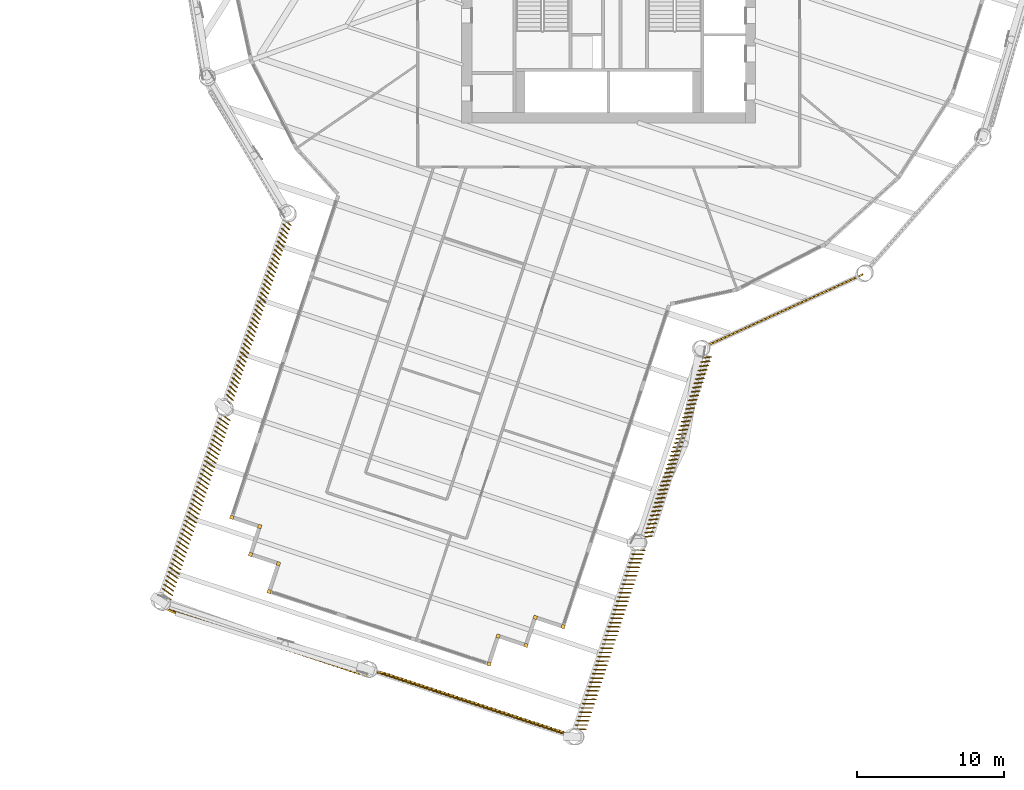
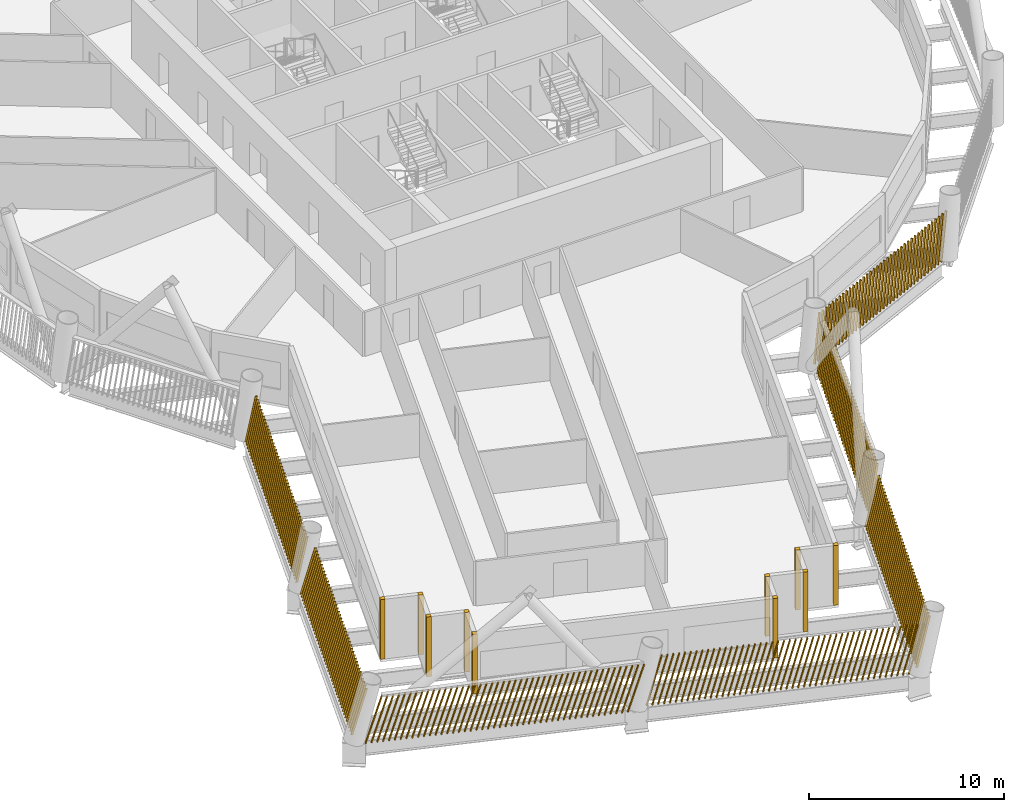
# One storey, part 18 of 22: 17 shading devices.
"""IFC4 building model written with IfcOpenShell, lengths in metres."""

from ifc_helpers import new_model, si_unit, direction, frame, frame_2d, origin, origin_2d, place, context, subcontext, project, spatial, rectangle, composite_profile, extrude, material, type_object, element, save


model = new_model("IFC4")

# Units and contexts
model_context = context("Model", 3, precision=1e-05, world=origin(), true_north=direction((0.0, 1.0)))
body_context = subcontext(model_context, "Body", "Model", "MODEL_VIEW")
ifc_project = project(units=[si_unit("LENGTHUNIT", "METRE"), si_unit("AREAUNIT", "SQUARE_METRE"), si_unit("VOLUMEUNIT", "CUBIC_METRE"), si_unit("PLANEANGLEUNIT", "RADIAN"), si_unit("MASSUNIT", "GRAM", prefix="KILO")], contexts=[model_context])

# Site, building, storey
site_placement = place(None, origin())
site = spatial("IfcSite", under=ifc_project, at=site_placement, CompositionType="ELEMENT")
building_placement = place(site_placement, origin())
building = spatial("IfcBuilding", under=site, at=building_placement, Name="Tarsis Ring Headquarters", CompositionType="ELEMENT")
storey_placement = place(building_placement, frame((0.0, 0.0, 147.60009765625)))
storey = spatial("IfcBuildingStorey", under=building, at=storey_placement, Name="L33", CompositionType="ELEMENT", Elevation=147.60009765625)

# Shading devices
ifc_material = material(Name="Terracotta baguette", Category="masonry")
shading_device_type_1 = type_object("IfcShadingDeviceType", Name="Terracotta baguette screen", PredefinedType="USERDEFINED", material=ifc_material)
shading_device_1_placement = place(storey_placement, frame((-22.043212890625, -19.574462890625, 0.0), z_axis=(0.0, 0.0, 1.0), x_axis=(-0.313338505497, -0.949647094442, 0.0)))
element("IfcShadingDevice", 1, at=shading_device_1_placement, inside=storey, type_object=shading_device_type_1, Name="Baguette screen L33-01", ObjectType="Terracotta baguette screen", PredefinedType="USERDEFINED", context=body_context, shape_type="SweptSolid", body=[
    extrude(composite_profile([rectangle(XDim=0.06005859375, YDim=0.1201171875, at=frame_2d((0.030029296875, 0.0))), rectangle(XDim=0.06005859375, YDim=0.1201171875, at=frame_2d((0.335693359375, 0.0))), rectangle(XDim=0.06005859375, YDim=0.1201171875, at=frame_2d((0.6416015625, 0.0))), rectangle(XDim=0.06005859375, YDim=0.1201171875, at=frame_2d((0.947265625, 0.0))), rectangle(XDim=0.06005859375, YDim=0.1201171875, at=frame_2d((1.253173828125, 0.0))), rectangle(XDim=0.06005859375, YDim=0.1201171875, at=frame_2d((1.558837890625, 0.0))), rectangle(XDim=0.06005859375, YDim=0.1201171875, at=frame_2d((1.864501953125, 0.0))), rectangle(XDim=0.06005859375, YDim=0.1201171875, at=frame_2d((2.17041015625, 0.0))), rectangle(XDim=0.06005859375, YDim=0.1201171875, at=frame_2d((2.47607421875, 0.0))), rectangle(XDim=0.06005859375, YDim=0.1201171875, at=frame_2d((2.781982421875, 0.0))), rectangle(XDim=0.06005859375, YDim=0.1201171875, at=frame_2d((3.087646484375, 0.0))), rectangle(XDim=0.06005859375, YDim=0.1201171875, at=frame_2d((3.393310546875, 0.0))), rectangle(XDim=0.06005859375, YDim=0.1201171875, at=frame_2d((3.69921875, 0.0))), rectangle(XDim=0.06005859375, YDim=0.1201171875, at=frame_2d((4.0048828125, 0.0))), rectangle(XDim=0.06005859375, YDim=0.1201171875, at=frame_2d((4.310791015625, 0.0))), rectangle(XDim=0.06005859375, YDim=0.1201171875, at=frame_2d((4.616455078125, 0.0))), rectangle(XDim=0.06005859375, YDim=0.1201171875, at=frame_2d((4.922119140625, 0.0))), rectangle(XDim=0.06005859375, YDim=0.1201171875, at=frame_2d((5.22802734375, 0.0))), rectangle(XDim=0.06005859375, YDim=0.1201171875, at=frame_2d((5.53369140625, 0.0))), rectangle(XDim=0.06005859375, YDim=0.1201171875, at=frame_2d((5.839599609375, 0.0))), rectangle(XDim=0.06005859375, YDim=0.1201171875, at=frame_2d((6.145263671875, 0.0))), rectangle(XDim=0.06005859375, YDim=0.1201171875, at=frame_2d((6.451171875, 0.0))), rectangle(XDim=0.06005859375, YDim=0.1201171875, at=frame_2d((6.7568359375, 0.0))), rectangle(XDim=0.06005859375, YDim=0.1201171875, at=frame_2d((7.0625, 0.0))), rectangle(XDim=0.06005859375, YDim=0.1201171875, at=frame_2d((7.368408203125, 0.0))), rectangle(XDim=0.06005859375, YDim=0.1201171875, at=frame_2d((7.674072265625, 0.0))), rectangle(XDim=0.06005859375, YDim=0.1201171875, at=frame_2d((7.97998046875, 0.0))), rectangle(XDim=0.06005859375, YDim=0.1201171875, at=frame_2d((8.28564453125, 0.0))), rectangle(XDim=0.06005859375, YDim=0.1201171875, at=frame_2d((8.59130859375, 0.0))), rectangle(XDim=0.06005859375, YDim=0.1201171875, at=frame_2d((8.897216796875, 0.0))), rectangle(XDim=0.06005859375, YDim=0.1201171875, at=frame_2d((9.202880859375, 0.0))), rectangle(XDim=0.06005859375, YDim=0.1201171875, at=frame_2d((9.5087890625, 0.0))), rectangle(XDim=0.06005859375, YDim=0.1201171875, at=frame_2d((9.814453125, 0.0))), rectangle(XDim=0.06005859375, YDim=0.1201171875, at=frame_2d((10.1201171875, 0.0))), rectangle(XDim=0.06005859375, YDim=0.1201171875, at=frame_2d((10.426025390625, 0.0))), rectangle(XDim=0.06005859375, YDim=0.1201171875, at=frame_2d((10.731689453125, 0.0))), rectangle(XDim=0.06005859375, YDim=0.1201171875, at=frame_2d((11.03759765625, 0.0))), rectangle(XDim=0.06005859375, YDim=0.1201171875, at=frame_2d((11.34326171875, 0.0))), rectangle(XDim=0.06005859375, YDim=0.1201171875, at=frame_2d((11.64892578125, 0.0))), rectangle(XDim=0.06005859375, YDim=0.1201171875, at=frame_2d((11.954833984375, 0.0))), rectangle(XDim=0.06005859375, YDim=0.1201171875, at=frame_2d((12.260498046875, 0.0))), rectangle(XDim=0.06005859375, YDim=0.1201171875, at=frame_2d((12.56640625, 0.0))), rectangle(XDim=0.06005859375, YDim=0.1201171875, at=frame_2d((12.8720703125, 0.0)))]), origin(), (0.076140570844, 0.167800342602, 0.98287621728), 3.00146484375),
])
shading_device_2_placement = place(storey_placement, frame((-26.399169921875, -32.776611328125, 0.0), z_axis=(0.0, 0.0, 1.0), x_axis=(-0.313338505497, -0.949647094442, 0.0)))
element("IfcShadingDevice", 2, at=shading_device_2_placement, inside=storey, type_object=shading_device_type_1, Name="Baguette screen L33-02", ObjectType="Terracotta baguette screen", PredefinedType="USERDEFINED", context=body_context, shape_type="SweptSolid", body=[
    extrude(composite_profile([rectangle(XDim=0.06005859375, YDim=0.1201171875, at=frame_2d((0.030029296875, 0.0))), rectangle(XDim=0.06005859375, YDim=0.1201171875, at=frame_2d((0.335693359375, 0.0))), rectangle(XDim=0.06005859375, YDim=0.1201171875, at=frame_2d((0.6416015625, 0.0))), rectangle(XDim=0.06005859375, YDim=0.1201171875, at=frame_2d((0.947265625, 0.0))), rectangle(XDim=0.06005859375, YDim=0.1201171875, at=frame_2d((1.253173828125, 0.0))), rectangle(XDim=0.06005859375, YDim=0.1201171875, at=frame_2d((1.558837890625, 0.0))), rectangle(XDim=0.06005859375, YDim=0.1201171875, at=frame_2d((1.864501953125, 0.0))), rectangle(XDim=0.06005859375, YDim=0.1201171875, at=frame_2d((2.17041015625, 0.0))), rectangle(XDim=0.06005859375, YDim=0.1201171875, at=frame_2d((2.47607421875, 0.0))), rectangle(XDim=0.06005859375, YDim=0.1201171875, at=frame_2d((2.781982421875, 0.0))), rectangle(XDim=0.06005859375, YDim=0.1201171875, at=frame_2d((3.087646484375, 0.0))), rectangle(XDim=0.06005859375, YDim=0.1201171875, at=frame_2d((3.393310546875, 0.0))), rectangle(XDim=0.06005859375, YDim=0.1201171875, at=frame_2d((3.69921875, 0.0))), rectangle(XDim=0.06005859375, YDim=0.1201171875, at=frame_2d((4.0048828125, 0.0))), rectangle(XDim=0.06005859375, YDim=0.1201171875, at=frame_2d((4.310791015625, 0.0))), rectangle(XDim=0.06005859375, YDim=0.1201171875, at=frame_2d((4.616455078125, 0.0))), rectangle(XDim=0.06005859375, YDim=0.1201171875, at=frame_2d((4.922119140625, 0.0))), rectangle(XDim=0.06005859375, YDim=0.1201171875, at=frame_2d((5.22802734375, 0.0))), rectangle(XDim=0.06005859375, YDim=0.1201171875, at=frame_2d((5.53369140625, 0.0))), rectangle(XDim=0.06005859375, YDim=0.1201171875, at=frame_2d((5.839599609375, 0.0))), rectangle(XDim=0.06005859375, YDim=0.1201171875, at=frame_2d((6.145263671875, 0.0))), rectangle(XDim=0.06005859375, YDim=0.1201171875, at=frame_2d((6.451171875, 0.0))), rectangle(XDim=0.06005859375, YDim=0.1201171875, at=frame_2d((6.7568359375, 0.0))), rectangle(XDim=0.06005859375, YDim=0.1201171875, at=frame_2d((7.0625, 0.0))), rectangle(XDim=0.06005859375, YDim=0.1201171875, at=frame_2d((7.368408203125, 0.0))), rectangle(XDim=0.06005859375, YDim=0.1201171875, at=frame_2d((7.674072265625, 0.0))), rectangle(XDim=0.06005859375, YDim=0.1201171875, at=frame_2d((7.97998046875, 0.0))), rectangle(XDim=0.06005859375, YDim=0.1201171875, at=frame_2d((8.28564453125, 0.0))), rectangle(XDim=0.06005859375, YDim=0.1201171875, at=frame_2d((8.59130859375, 0.0))), rectangle(XDim=0.06005859375, YDim=0.1201171875, at=frame_2d((8.897216796875, 0.0))), rectangle(XDim=0.06005859375, YDim=0.1201171875, at=frame_2d((9.202880859375, 0.0))), rectangle(XDim=0.06005859375, YDim=0.1201171875, at=frame_2d((9.5087890625, 0.0))), rectangle(XDim=0.06005859375, YDim=0.1201171875, at=frame_2d((9.814453125, 0.0))), rectangle(XDim=0.06005859375, YDim=0.1201171875, at=frame_2d((10.1201171875, 0.0))), rectangle(XDim=0.06005859375, YDim=0.1201171875, at=frame_2d((10.426025390625, 0.0))), rectangle(XDim=0.06005859375, YDim=0.1201171875, at=frame_2d((10.731689453125, 0.0))), rectangle(XDim=0.06005859375, YDim=0.1201171875, at=frame_2d((11.03759765625, 0.0))), rectangle(XDim=0.06005859375, YDim=0.1201171875, at=frame_2d((11.34326171875, 0.0))), rectangle(XDim=0.06005859375, YDim=0.1201171875, at=frame_2d((11.64892578125, 0.0))), rectangle(XDim=0.06005859375, YDim=0.1201171875, at=frame_2d((11.954833984375, 0.0))), rectangle(XDim=0.06005859375, YDim=0.1201171875, at=frame_2d((12.260498046875, 0.0))), rectangle(XDim=0.06005859375, YDim=0.1201171875, at=frame_2d((12.56640625, 0.0))), rectangle(XDim=0.06005859375, YDim=0.1201171875, at=frame_2d((12.8720703125, 0.0)))]), origin(), (0.074473944327, 0.237070890417, 0.968633586313), 3.04541015625),
])
shading_device_3_placement = place(storey_placement, frame((-30.2412109375, -46.016845703125, 0.0), z_axis=(0.0, 0.0, 1.0), x_axis=(0.949649706319, -0.313318236501, 0.0)))
element("IfcShadingDevice", 3, at=shading_device_3_placement, inside=storey, type_object=shading_device_type_1, Name="Baguette screen L33-03", ObjectType="Terracotta baguette screen", PredefinedType="USERDEFINED", context=body_context, shape_type="SweptSolid", body=[
    extrude(composite_profile([rectangle(XDim=0.06005859375, YDim=0.1201171875, at=frame_2d((0.030029296875, 0.0))), rectangle(XDim=0.06005859375, YDim=0.1201171875, at=frame_2d((0.33544921875, 0.0))), rectangle(XDim=0.06005859375, YDim=0.1201171875, at=frame_2d((0.640625, 0.0))), rectangle(XDim=0.06005859375, YDim=0.1201171875, at=frame_2d((0.946044921875, 0.0))), rectangle(XDim=0.06005859375, YDim=0.1201171875, at=frame_2d((1.25146484375, 0.0))), rectangle(XDim=0.06005859375, YDim=0.1201171875, at=frame_2d((1.556640625, 0.0))), rectangle(XDim=0.06005859375, YDim=0.1201171875, at=frame_2d((1.862060546875, 0.0))), rectangle(XDim=0.06005859375, YDim=0.1201171875, at=frame_2d((2.16748046875, 0.0))), rectangle(XDim=0.06005859375, YDim=0.1201171875, at=frame_2d((2.47265625, 0.0))), rectangle(XDim=0.06005859375, YDim=0.1201171875, at=frame_2d((2.778076171875, 0.0))), rectangle(XDim=0.06005859375, YDim=0.1201171875, at=frame_2d((3.08349609375, 0.0))), rectangle(XDim=0.06005859375, YDim=0.1201171875, at=frame_2d((3.388671875, 0.0))), rectangle(XDim=0.06005859375, YDim=0.1201171875, at=frame_2d((3.694091796875, 0.0))), rectangle(XDim=0.06005859375, YDim=0.1201171875, at=frame_2d((3.99951171875, 0.0))), rectangle(XDim=0.06005859375, YDim=0.1201171875, at=frame_2d((4.3046875, 0.0))), rectangle(XDim=0.06005859375, YDim=0.1201171875, at=frame_2d((4.610107421875, 0.0))), rectangle(XDim=0.06005859375, YDim=0.1201171875, at=frame_2d((4.91552734375, 0.0))), rectangle(XDim=0.06005859375, YDim=0.1201171875, at=frame_2d((5.220703125, 0.0))), rectangle(XDim=0.06005859375, YDim=0.1201171875, at=frame_2d((5.526123046875, 0.0))), rectangle(XDim=0.06005859375, YDim=0.1201171875, at=frame_2d((5.83154296875, 0.0))), rectangle(XDim=0.06005859375, YDim=0.1201171875, at=frame_2d((6.13671875, 0.0))), rectangle(XDim=0.06005859375, YDim=0.1201171875, at=frame_2d((6.442138671875, 0.0))), rectangle(XDim=0.06005859375, YDim=0.1201171875, at=frame_2d((6.74755859375, 0.0))), rectangle(XDim=0.06005859375, YDim=0.1201171875, at=frame_2d((7.052734375, 0.0))), rectangle(XDim=0.06005859375, YDim=0.1201171875, at=frame_2d((7.358154296875, 0.0))), rectangle(XDim=0.06005859375, YDim=0.1201171875, at=frame_2d((7.66357421875, 0.0))), rectangle(XDim=0.06005859375, YDim=0.1201171875, at=frame_2d((7.96875, 0.0))), rectangle(XDim=0.06005859375, YDim=0.1201171875, at=frame_2d((8.274169921875, 0.0))), rectangle(XDim=0.06005859375, YDim=0.1201171875, at=frame_2d((8.57958984375, 0.0))), rectangle(XDim=0.06005859375, YDim=0.1201171875, at=frame_2d((8.884765625, 0.0))), rectangle(XDim=0.06005859375, YDim=0.1201171875, at=frame_2d((9.190185546875, 0.0))), rectangle(XDim=0.06005859375, YDim=0.1201171875, at=frame_2d((9.49560546875, 0.0))), rectangle(XDim=0.06005859375, YDim=0.1201171875, at=frame_2d((9.80078125, 0.0))), rectangle(XDim=0.06005859375, YDim=0.1201171875, at=frame_2d((10.106201171875, 0.0))), rectangle(XDim=0.06005859375, YDim=0.1201171875, at=frame_2d((10.41162109375, 0.0))), rectangle(XDim=0.06005859375, YDim=0.1201171875, at=frame_2d((10.716796875, 0.0))), rectangle(XDim=0.06005859375, YDim=0.1201171875, at=frame_2d((11.022216796875, 0.0))), rectangle(XDim=0.06005859375, YDim=0.1201171875, at=frame_2d((11.32763671875, 0.0))), rectangle(XDim=0.06005859375, YDim=0.1201171875, at=frame_2d((11.6328125, 0.0))), rectangle(XDim=0.06005859375, YDim=0.1201171875, at=frame_2d((11.938232421875, 0.0))), rectangle(XDim=0.06005859375, YDim=0.1201171875, at=frame_2d((12.24365234375, 0.0))), rectangle(XDim=0.06005859375, YDim=0.1201171875, at=frame_2d((12.548828125, 0.0))), rectangle(XDim=0.06005859375, YDim=0.1201171875, at=frame_2d((12.854248046875, 0.0))), rectangle(XDim=0.06005859375, YDim=0.1201171875, at=frame_2d((13.15966796875, 0.0))), rectangle(XDim=0.06005859375, YDim=0.1201171875, at=frame_2d((13.46484375, 0.0))), rectangle(XDim=0.06005859375, YDim=0.1201171875, at=frame_2d((13.770263671875, 0.0)))]), origin(), (0.272527972969, -0.035749763261, 0.961483467552), 3.068115234375),
])
shading_device_4_placement = place(storey_placement, frame((-16.069091796875, -50.2978515625, 0.0), z_axis=(0.0, 0.0, 1.0), x_axis=(0.949650597081, -0.313330384785, 0.0)))
element("IfcShadingDevice", 4, at=shading_device_4_placement, inside=storey, type_object=shading_device_type_1, Name="Baguette screen L33-04", ObjectType="Terracotta baguette screen", PredefinedType="USERDEFINED", context=body_context, shape_type="SweptSolid", body=[
    extrude(composite_profile([rectangle(XDim=0.06005859375, YDim=0.1201171875, at=frame_2d((0.030029296875, 0.0))), rectangle(XDim=0.06005859375, YDim=0.1201171875, at=frame_2d((0.33544921875, 0.0))), rectangle(XDim=0.06005859375, YDim=0.1201171875, at=frame_2d((0.640625, 0.0))), rectangle(XDim=0.06005859375, YDim=0.1201171875, at=frame_2d((0.946044921875, 0.0))), rectangle(XDim=0.06005859375, YDim=0.1201171875, at=frame_2d((1.25146484375, 0.0))), rectangle(XDim=0.06005859375, YDim=0.1201171875, at=frame_2d((1.556640625, 0.0))), rectangle(XDim=0.06005859375, YDim=0.1201171875, at=frame_2d((1.862060546875, 0.0))), rectangle(XDim=0.06005859375, YDim=0.1201171875, at=frame_2d((2.16748046875, 0.0))), rectangle(XDim=0.06005859375, YDim=0.1201171875, at=frame_2d((2.47265625, 0.0))), rectangle(XDim=0.06005859375, YDim=0.1201171875, at=frame_2d((2.778076171875, 0.0))), rectangle(XDim=0.06005859375, YDim=0.1201171875, at=frame_2d((3.08349609375, 0.0))), rectangle(XDim=0.06005859375, YDim=0.1201171875, at=frame_2d((3.388671875, 0.0))), rectangle(XDim=0.06005859375, YDim=0.1201171875, at=frame_2d((3.694091796875, 0.0))), rectangle(XDim=0.06005859375, YDim=0.1201171875, at=frame_2d((3.99951171875, 0.0))), rectangle(XDim=0.06005859375, YDim=0.1201171875, at=frame_2d((4.3046875, 0.0))), rectangle(XDim=0.06005859375, YDim=0.1201171875, at=frame_2d((4.610107421875, 0.0))), rectangle(XDim=0.06005859375, YDim=0.1201171875, at=frame_2d((4.91552734375, 0.0))), rectangle(XDim=0.06005859375, YDim=0.1201171875, at=frame_2d((5.220703125, 0.0))), rectangle(XDim=0.06005859375, YDim=0.1201171875, at=frame_2d((5.526123046875, 0.0))), rectangle(XDim=0.06005859375, YDim=0.1201171875, at=frame_2d((5.83154296875, 0.0))), rectangle(XDim=0.06005859375, YDim=0.1201171875, at=frame_2d((6.13671875, 0.0))), rectangle(XDim=0.06005859375, YDim=0.1201171875, at=frame_2d((6.442138671875, 0.0))), rectangle(XDim=0.06005859375, YDim=0.1201171875, at=frame_2d((6.74755859375, 0.0))), rectangle(XDim=0.06005859375, YDim=0.1201171875, at=frame_2d((7.052734375, 0.0))), rectangle(XDim=0.06005859375, YDim=0.1201171875, at=frame_2d((7.358154296875, 0.0))), rectangle(XDim=0.06005859375, YDim=0.1201171875, at=frame_2d((7.66357421875, 0.0))), rectangle(XDim=0.06005859375, YDim=0.1201171875, at=frame_2d((7.96875, 0.0))), rectangle(XDim=0.06005859375, YDim=0.1201171875, at=frame_2d((8.274169921875, 0.0))), rectangle(XDim=0.06005859375, YDim=0.1201171875, at=frame_2d((8.57958984375, 0.0))), rectangle(XDim=0.06005859375, YDim=0.1201171875, at=frame_2d((8.884765625, 0.0))), rectangle(XDim=0.06005859375, YDim=0.1201171875, at=frame_2d((9.190185546875, 0.0))), rectangle(XDim=0.06005859375, YDim=0.1201171875, at=frame_2d((9.49560546875, 0.0))), rectangle(XDim=0.06005859375, YDim=0.1201171875, at=frame_2d((9.80078125, 0.0))), rectangle(XDim=0.06005859375, YDim=0.1201171875, at=frame_2d((10.106201171875, 0.0))), rectangle(XDim=0.06005859375, YDim=0.1201171875, at=frame_2d((10.41162109375, 0.0))), rectangle(XDim=0.06005859375, YDim=0.1201171875, at=frame_2d((10.716796875, 0.0))), rectangle(XDim=0.06005859375, YDim=0.1201171875, at=frame_2d((11.022216796875, 0.0))), rectangle(XDim=0.06005859375, YDim=0.1201171875, at=frame_2d((11.32763671875, 0.0))), rectangle(XDim=0.06005859375, YDim=0.1201171875, at=frame_2d((11.6328125, 0.0))), rectangle(XDim=0.06005859375, YDim=0.1201171875, at=frame_2d((11.938232421875, 0.0))), rectangle(XDim=0.06005859375, YDim=0.1201171875, at=frame_2d((12.24365234375, 0.0))), rectangle(XDim=0.06005859375, YDim=0.1201171875, at=frame_2d((12.548828125, 0.0))), rectangle(XDim=0.06005859375, YDim=0.1201171875, at=frame_2d((12.854248046875, 0.0))), rectangle(XDim=0.06005859375, YDim=0.1201171875, at=frame_2d((13.15966796875, 0.0))), rectangle(XDim=0.06005859375, YDim=0.1201171875, at=frame_2d((13.46484375, 0.0))), rectangle(XDim=0.06005859375, YDim=0.1201171875, at=frame_2d((13.770263671875, 0.0)))]), origin(), (0.270155395415, 0.040028212196, 0.961984305775), 3.06640625),
])
shading_device_5_placement = place(storey_placement, frame((-2.33251953125, -54.3037109375, 0.0), z_axis=(0.0, 0.0, 1.0), x_axis=(0.313332576446, 0.94964804723, 0.0)))
element("IfcShadingDevice", 5, at=shading_device_5_placement, inside=storey, type_object=shading_device_type_1, Name="Baguette screen L33-05", ObjectType="Terracotta baguette screen", PredefinedType="USERDEFINED", context=body_context, shape_type="SweptSolid", body=[
    extrude(composite_profile([rectangle(XDim=0.06005859375, YDim=0.1201171875, at=frame_2d((0.030029296875, 0.0))), rectangle(XDim=0.06005859375, YDim=0.1201171875, at=frame_2d((0.335693359375, 0.0))), rectangle(XDim=0.06005859375, YDim=0.1201171875, at=frame_2d((0.6416015625, 0.0))), rectangle(XDim=0.06005859375, YDim=0.1201171875, at=frame_2d((0.947265625, 0.0))), rectangle(XDim=0.06005859375, YDim=0.1201171875, at=frame_2d((1.253173828125, 0.0))), rectangle(XDim=0.06005859375, YDim=0.1201171875, at=frame_2d((1.558837890625, 0.0))), rectangle(XDim=0.06005859375, YDim=0.1201171875, at=frame_2d((1.864501953125, 0.0))), rectangle(XDim=0.06005859375, YDim=0.1201171875, at=frame_2d((2.17041015625, 0.0))), rectangle(XDim=0.06005859375, YDim=0.1201171875, at=frame_2d((2.47607421875, 0.0))), rectangle(XDim=0.06005859375, YDim=0.1201171875, at=frame_2d((2.781982421875, 0.0))), rectangle(XDim=0.06005859375, YDim=0.1201171875, at=frame_2d((3.087646484375, 0.0))), rectangle(XDim=0.06005859375, YDim=0.1201171875, at=frame_2d((3.393310546875, 0.0))), rectangle(XDim=0.06005859375, YDim=0.1201171875, at=frame_2d((3.69921875, 0.0))), rectangle(XDim=0.06005859375, YDim=0.1201171875, at=frame_2d((4.0048828125, 0.0))), rectangle(XDim=0.06005859375, YDim=0.1201171875, at=frame_2d((4.310791015625, 0.0))), rectangle(XDim=0.06005859375, YDim=0.1201171875, at=frame_2d((4.616455078125, 0.0))), rectangle(XDim=0.06005859375, YDim=0.1201171875, at=frame_2d((4.922119140625, 0.0))), rectangle(XDim=0.06005859375, YDim=0.1201171875, at=frame_2d((5.22802734375, 0.0))), rectangle(XDim=0.06005859375, YDim=0.1201171875, at=frame_2d((5.53369140625, 0.0))), rectangle(XDim=0.06005859375, YDim=0.1201171875, at=frame_2d((5.839599609375, 0.0))), rectangle(XDim=0.06005859375, YDim=0.1201171875, at=frame_2d((6.145263671875, 0.0))), rectangle(XDim=0.06005859375, YDim=0.1201171875, at=frame_2d((6.451171875, 0.0))), rectangle(XDim=0.06005859375, YDim=0.1201171875, at=frame_2d((6.7568359375, 0.0))), rectangle(XDim=0.06005859375, YDim=0.1201171875, at=frame_2d((7.0625, 0.0))), rectangle(XDim=0.06005859375, YDim=0.1201171875, at=frame_2d((7.368408203125, 0.0))), rectangle(XDim=0.06005859375, YDim=0.1201171875, at=frame_2d((7.674072265625, 0.0))), rectangle(XDim=0.06005859375, YDim=0.1201171875, at=frame_2d((7.97998046875, 0.0))), rectangle(XDim=0.06005859375, YDim=0.1201171875, at=frame_2d((8.28564453125, 0.0))), rectangle(XDim=0.06005859375, YDim=0.1201171875, at=frame_2d((8.59130859375, 0.0))), rectangle(XDim=0.06005859375, YDim=0.1201171875, at=frame_2d((8.897216796875, 0.0))), rectangle(XDim=0.06005859375, YDim=0.1201171875, at=frame_2d((9.202880859375, 0.0))), rectangle(XDim=0.06005859375, YDim=0.1201171875, at=frame_2d((9.5087890625, 0.0))), rectangle(XDim=0.06005859375, YDim=0.1201171875, at=frame_2d((9.814453125, 0.0))), rectangle(XDim=0.06005859375, YDim=0.1201171875, at=frame_2d((10.1201171875, 0.0))), rectangle(XDim=0.06005859375, YDim=0.1201171875, at=frame_2d((10.426025390625, 0.0))), rectangle(XDim=0.06005859375, YDim=0.1201171875, at=frame_2d((10.731689453125, 0.0))), rectangle(XDim=0.06005859375, YDim=0.1201171875, at=frame_2d((11.03759765625, 0.0))), rectangle(XDim=0.06005859375, YDim=0.1201171875, at=frame_2d((11.34326171875, 0.0))), rectangle(XDim=0.06005859375, YDim=0.1201171875, at=frame_2d((11.64892578125, 0.0))), rectangle(XDim=0.06005859375, YDim=0.1201171875, at=frame_2d((11.954833984375, 0.0))), rectangle(XDim=0.06005859375, YDim=0.1201171875, at=frame_2d((12.260498046875, 0.0))), rectangle(XDim=0.06005859375, YDim=0.1201171875, at=frame_2d((12.56640625, 0.0))), rectangle(XDim=0.06005859375, YDim=0.1201171875, at=frame_2d((12.8720703125, 0.0)))]), origin(), (0.078190487054, -0.235870909715, 0.968633657109), 3.04541015625),
])
shading_device_6_placement = place(storey_placement, frame((2.379638671875, -41.218994140625, 0.0), z_axis=(0.0, 0.0, 1.0), x_axis=(0.313338505497, 0.949647094442, 0.0)))
element("IfcShadingDevice", 6, at=shading_device_6_placement, inside=storey, type_object=shading_device_type_1, Name="Baguette screen L33-06", ObjectType="Terracotta baguette screen", PredefinedType="USERDEFINED", context=body_context, shape_type="SweptSolid", body=[
    extrude(composite_profile([rectangle(XDim=0.06005859375, YDim=0.1201171875, at=frame_2d((0.030029296875, 0.0))), rectangle(XDim=0.06005859375, YDim=0.1201171875, at=frame_2d((0.335693359375, 0.0))), rectangle(XDim=0.06005859375, YDim=0.1201171875, at=frame_2d((0.6416015625, 0.0))), rectangle(XDim=0.06005859375, YDim=0.1201171875, at=frame_2d((0.947265625, 0.0))), rectangle(XDim=0.06005859375, YDim=0.1201171875, at=frame_2d((1.253173828125, 0.0))), rectangle(XDim=0.06005859375, YDim=0.1201171875, at=frame_2d((1.558837890625, 0.0))), rectangle(XDim=0.06005859375, YDim=0.1201171875, at=frame_2d((1.864501953125, 0.0))), rectangle(XDim=0.06005859375, YDim=0.1201171875, at=frame_2d((2.17041015625, 0.0))), rectangle(XDim=0.06005859375, YDim=0.1201171875, at=frame_2d((2.47607421875, 0.0))), rectangle(XDim=0.06005859375, YDim=0.1201171875, at=frame_2d((2.781982421875, 0.0))), rectangle(XDim=0.06005859375, YDim=0.1201171875, at=frame_2d((3.087646484375, 0.0))), rectangle(XDim=0.06005859375, YDim=0.1201171875, at=frame_2d((3.393310546875, 0.0))), rectangle(XDim=0.06005859375, YDim=0.1201171875, at=frame_2d((3.69921875, 0.0))), rectangle(XDim=0.06005859375, YDim=0.1201171875, at=frame_2d((4.0048828125, 0.0))), rectangle(XDim=0.06005859375, YDim=0.1201171875, at=frame_2d((4.310791015625, 0.0))), rectangle(XDim=0.06005859375, YDim=0.1201171875, at=frame_2d((4.616455078125, 0.0))), rectangle(XDim=0.06005859375, YDim=0.1201171875, at=frame_2d((4.922119140625, 0.0))), rectangle(XDim=0.06005859375, YDim=0.1201171875, at=frame_2d((5.22802734375, 0.0))), rectangle(XDim=0.06005859375, YDim=0.1201171875, at=frame_2d((5.53369140625, 0.0))), rectangle(XDim=0.06005859375, YDim=0.1201171875, at=frame_2d((5.839599609375, 0.0))), rectangle(XDim=0.06005859375, YDim=0.1201171875, at=frame_2d((6.145263671875, 0.0))), rectangle(XDim=0.06005859375, YDim=0.1201171875, at=frame_2d((6.451171875, 0.0))), rectangle(XDim=0.06005859375, YDim=0.1201171875, at=frame_2d((6.7568359375, 0.0))), rectangle(XDim=0.06005859375, YDim=0.1201171875, at=frame_2d((7.0625, 0.0))), rectangle(XDim=0.06005859375, YDim=0.1201171875, at=frame_2d((7.368408203125, 0.0))), rectangle(XDim=0.06005859375, YDim=0.1201171875, at=frame_2d((7.674072265625, 0.0))), rectangle(XDim=0.06005859375, YDim=0.1201171875, at=frame_2d((7.97998046875, 0.0))), rectangle(XDim=0.06005859375, YDim=0.1201171875, at=frame_2d((8.28564453125, 0.0))), rectangle(XDim=0.06005859375, YDim=0.1201171875, at=frame_2d((8.59130859375, 0.0))), rectangle(XDim=0.06005859375, YDim=0.1201171875, at=frame_2d((8.897216796875, 0.0))), rectangle(XDim=0.06005859375, YDim=0.1201171875, at=frame_2d((9.202880859375, 0.0))), rectangle(XDim=0.06005859375, YDim=0.1201171875, at=frame_2d((9.5087890625, 0.0))), rectangle(XDim=0.06005859375, YDim=0.1201171875, at=frame_2d((9.814453125, 0.0))), rectangle(XDim=0.06005859375, YDim=0.1201171875, at=frame_2d((10.1201171875, 0.0))), rectangle(XDim=0.06005859375, YDim=0.1201171875, at=frame_2d((10.426025390625, 0.0))), rectangle(XDim=0.06005859375, YDim=0.1201171875, at=frame_2d((10.731689453125, 0.0))), rectangle(XDim=0.06005859375, YDim=0.1201171875, at=frame_2d((11.03759765625, 0.0))), rectangle(XDim=0.06005859375, YDim=0.1201171875, at=frame_2d((11.34326171875, 0.0))), rectangle(XDim=0.06005859375, YDim=0.1201171875, at=frame_2d((11.64892578125, 0.0))), rectangle(XDim=0.06005859375, YDim=0.1201171875, at=frame_2d((11.954833984375, 0.0))), rectangle(XDim=0.06005859375, YDim=0.1201171875, at=frame_2d((12.260498046875, 0.0))), rectangle(XDim=0.06005859375, YDim=0.1201171875, at=frame_2d((12.56640625, 0.0))), rectangle(XDim=0.06005859375, YDim=0.1201171875, at=frame_2d((12.8720703125, 0.0)))]), origin(), (0.080719794648, -0.166541303181, 0.982724940707), 3.001708984375),
])
shading_device_7_placement = place(storey_placement, frame((6.677734375, -28.16650390625, 0.0), z_axis=(0.0, 0.0, 1.0), x_axis=(0.909669017906, 0.415344546934, 0.0)))
element("IfcShadingDevice", 7, at=shading_device_7_placement, inside=storey, type_object=shading_device_type_1, Name="Baguette screen L33-07", ObjectType="Terracotta baguette screen", PredefinedType="USERDEFINED", context=body_context, shape_type="SweptSolid", body=[
    extrude(composite_profile([rectangle(XDim=0.06005859375, YDim=0.1201171875, at=frame_2d((0.030029296875, 0.0))), rectangle(XDim=0.06005859375, YDim=0.1201171875, at=frame_2d((0.33251953125, 0.0))), rectangle(XDim=0.06005859375, YDim=0.1201171875, at=frame_2d((0.634765625, 0.0))), rectangle(XDim=0.06005859375, YDim=0.1201171875, at=frame_2d((0.937255859375, 0.0))), rectangle(XDim=0.06005859375, YDim=0.1201171875, at=frame_2d((1.239501953125, 0.0))), rectangle(XDim=0.06005859375, YDim=0.1201171875, at=frame_2d((1.5419921875, 0.0))), rectangle(XDim=0.06005859375, YDim=0.1201171875, at=frame_2d((1.844482421875, 0.0))), rectangle(XDim=0.06005859375, YDim=0.1201171875, at=frame_2d((2.146728515625, 0.0))), rectangle(XDim=0.06005859375, YDim=0.1201171875, at=frame_2d((2.44921875, 0.0))), rectangle(XDim=0.06005859375, YDim=0.1201171875, at=frame_2d((2.751708984375, 0.0))), rectangle(XDim=0.06005859375, YDim=0.1201171875, at=frame_2d((3.053955078125, 0.0))), rectangle(XDim=0.06005859375, YDim=0.1201171875, at=frame_2d((3.3564453125, 0.0))), rectangle(XDim=0.06005859375, YDim=0.1201171875, at=frame_2d((3.65869140625, 0.0))), rectangle(XDim=0.06005859375, YDim=0.1201171875, at=frame_2d((3.961181640625, 0.0))), rectangle(XDim=0.06005859375, YDim=0.1201171875, at=frame_2d((4.263671875, 0.0))), rectangle(XDim=0.06005859375, YDim=0.1201171875, at=frame_2d((4.56591796875, 0.0))), rectangle(XDim=0.06005859375, YDim=0.1201171875, at=frame_2d((4.868408203125, 0.0))), rectangle(XDim=0.06005859375, YDim=0.1201171875, at=frame_2d((5.1708984375, 0.0))), rectangle(XDim=0.06005859375, YDim=0.1201171875, at=frame_2d((5.47314453125, 0.0))), rectangle(XDim=0.06005859375, YDim=0.1201171875, at=frame_2d((5.775634765625, 0.0))), rectangle(XDim=0.06005859375, YDim=0.1201171875, at=frame_2d((6.077880859375, 0.0))), rectangle(XDim=0.06005859375, YDim=0.1201171875, at=frame_2d((6.38037109375, 0.0))), rectangle(XDim=0.06005859375, YDim=0.1201171875, at=frame_2d((6.682861328125, 0.0))), rectangle(XDim=0.06005859375, YDim=0.1201171875, at=frame_2d((6.985107421875, 0.0))), rectangle(XDim=0.06005859375, YDim=0.1201171875, at=frame_2d((7.28759765625, 0.0))), rectangle(XDim=0.06005859375, YDim=0.1201171875, at=frame_2d((7.590087890625, 0.0))), rectangle(XDim=0.06005859375, YDim=0.1201171875, at=frame_2d((7.892333984375, 0.0))), rectangle(XDim=0.06005859375, YDim=0.1201171875, at=frame_2d((8.19482421875, 0.0))), rectangle(XDim=0.06005859375, YDim=0.1201171875, at=frame_2d((8.4970703125, 0.0))), rectangle(XDim=0.06005859375, YDim=0.1201171875, at=frame_2d((8.799560546875, 0.0))), rectangle(XDim=0.06005859375, YDim=0.1201171875, at=frame_2d((9.10205078125, 0.0))), rectangle(XDim=0.06005859375, YDim=0.1201171875, at=frame_2d((9.404296875, 0.0))), rectangle(XDim=0.06005859375, YDim=0.1201171875, at=frame_2d((9.706787109375, 0.0))), rectangle(XDim=0.06005859375, YDim=0.1201171875, at=frame_2d((10.00927734375, 0.0))), rectangle(XDim=0.06005859375, YDim=0.1201171875, at=frame_2d((10.3115234375, 0.0))), rectangle(XDim=0.06005859375, YDim=0.1201171875, at=frame_2d((10.614013671875, 0.0))), rectangle(XDim=0.06005859375, YDim=0.1201171875, at=frame_2d((10.916259765625, 0.0))), rectangle(XDim=0.06005859375, YDim=0.1201171875, at=frame_2d((11.21875, 0.0)))]), origin(), (0.14949662602, 0.001175229373, 0.9887615373), 2.9833984375),
])
shading_device_type_2 = type_object("IfcShadingDeviceType", Name="Terracotta corner baguette 250x250", PredefinedType="USERDEFINED", material=ifc_material)
for number, where, z_axis, x_axis, name in (
    (8, (-25.651123046875, -39.84423828125, 0.0), (0.0, 0.0, 1.0), (-0.31332955548, -0.949644454342, 0.0), "Corner baguette L33-07"),
    (9, (-23.751708984375, -40.470703125, 0.0), (0.0, 0.0, 1.0), (0.949644476217, -0.313329489182, 0.0), "Corner baguette L33-08"),
    (10, (-24.37841796875, -42.3701171875, 0.0), (0.0, 0.0, 1.0), (-0.313329489182, -0.949644476217, 0.0), "Corner baguette L33-09"),
    (11, (-22.47900390625, -42.996826171875, 0.0), (0.0, 0.0, 1.0), (0.949644426999, -0.313329638352, 0.0), "Corner baguette L33-10"),
    (12, (-23.105712890625, -44.89599609375, 0.0), (0.0, 0.0, 1.0), (-0.313329489182, -0.949644476217, 0.0), "Corner baguette L33-11"),
    (13, (-8.14892578125, -49.8310546875, 0.0), (0.0, 0.0, 1.0), (0.949644448874, -0.313329572054, 0.0), "Corner baguette L33-12"),
    (14, (-7.522216796875, -47.931640625, 0.0), (0.0, 0.0, 1.0), (0.313329936691, 0.949644328564, 0.0), "Corner baguette L33-13"),
    (15, (-5.622802734375, -48.558349609375, 0.0), (0.0, 0.0, 1.0), (0.949644476217, -0.313329489182, 0.0), "Corner baguette L33-14"),
    (16, (-4.996337890625, -46.6591796875, 0.0), (0.0, 0.0, 1.0), (0.313329489182, 0.949644476217, 0.0), "Corner baguette L33-15"),
    (17, (-3.096923828125, -47.28564453125, 0.0), (0.0, 0.0, 1.0), (0.949644476217, -0.313329489182, 0.0), "Corner baguette L33-16"),
):
    element("IfcShadingDevice", number, at=place(storey_placement, frame(where, z_axis=z_axis, x_axis=x_axis)), inside=storey, type_object=shading_device_type_2, Name=name, ObjectType="Terracotta corner baguette", PredefinedType="USERDEFINED", context=body_context, shape_type="SweptSolid", body=[
        extrude(rectangle(XDim=0.25, YDim=0.25, at=origin_2d()), origin(), (0.0, 0.0, 1.0), 3.739990234375),
    ])

save(model, "model.ifc")
